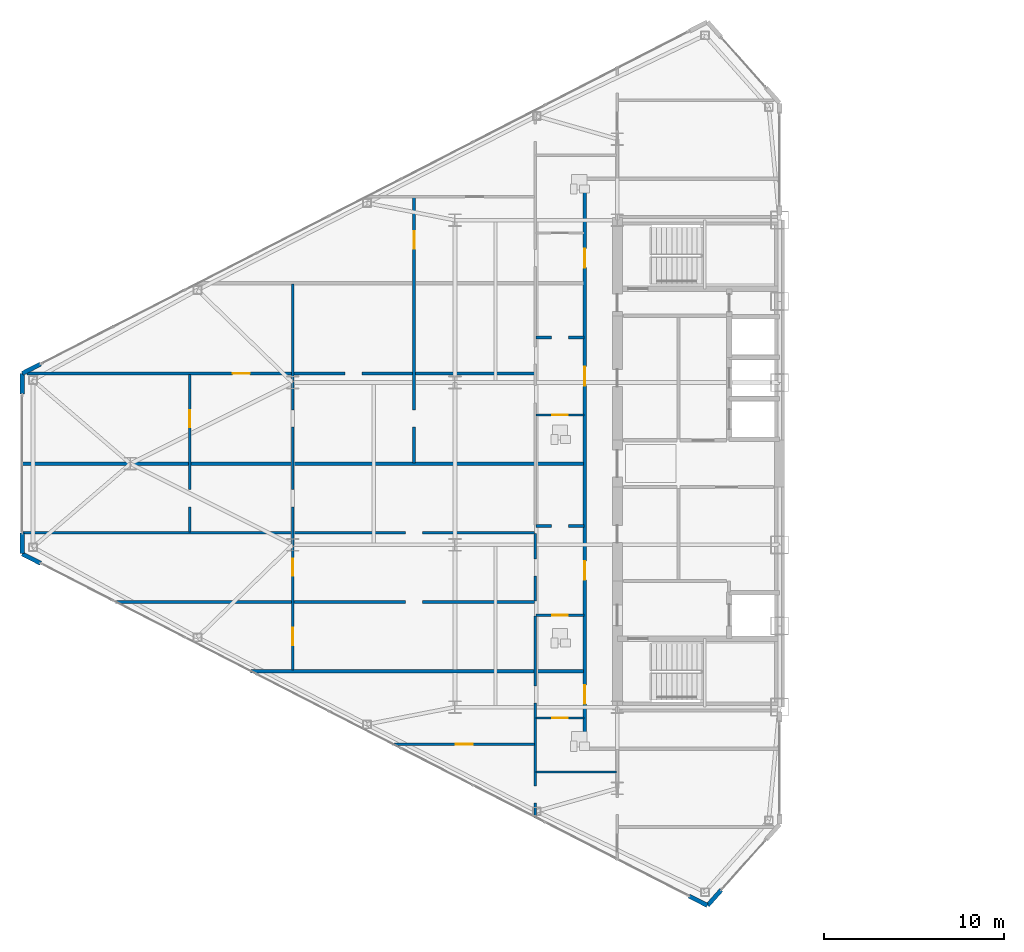
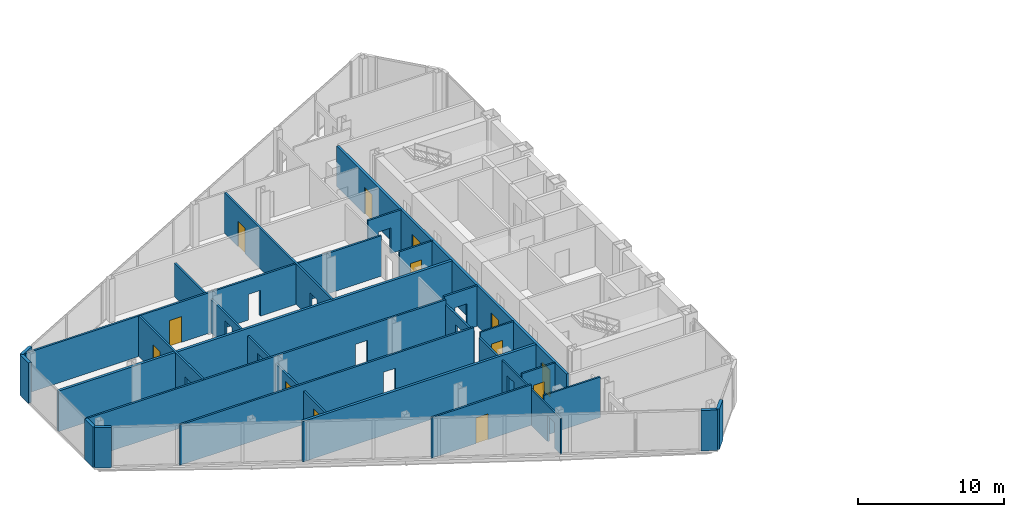
# One storey, part 15 of 23: 24 walls, 13 doors, 25 openings.
"""IFC4 building model written with IfcOpenShell, lengths in metres."""

from ifc_helpers import new_model, si_unit, direction, frame, frame_2d, origin, place, context, subcontext, project, spatial, rectangle, extrude, source, transform, mapped, material, layer, layer_set, type_object, type_shapes, element, fill, save


model = new_model("IFC4")

# Units and contexts
model_context = context("Model", 3, precision=1e-05, world=origin(), true_north=direction((0.0, 1.0)))
body_context = subcontext(model_context, "Body", "Model", "MODEL_VIEW")
ifc_project = project(units=[si_unit("LENGTHUNIT", "METRE"), si_unit("AREAUNIT", "SQUARE_METRE"), si_unit("VOLUMEUNIT", "CUBIC_METRE"), si_unit("PLANEANGLEUNIT", "RADIAN"), si_unit("MASSUNIT", "GRAM", prefix="KILO")], contexts=[model_context])

# Site, building, storey
site_placement = place(None, origin())
site = spatial("IfcSite", under=ifc_project, at=site_placement, CompositionType="ELEMENT")
building_placement = place(site_placement, origin())
building = spatial("IfcBuilding", under=site, at=building_placement, Name="Seokmaru Belvedere", CompositionType="ELEMENT")
storey_placement = place(building_placement, frame((0.0, 0.0, 144.0)))
storey = spatial("IfcBuildingStorey", under=building, at=storey_placement, Name="L38", CompositionType="ELEMENT", Elevation=144.0)

# Wall, opening, door
ifc_material_1 = material(Name="Fire-Rated Gypsum Shaftwall")
ifc_layer_1 = layer(ifc_material_1, 0.14990234375)
ifc_layer_set_1 = layer_set([ifc_layer_1], Name="Fire-Rated Gypsum Shaftwall")
wall_type_1 = type_object("IfcWallType", Name="Apartment Fire-Acoustic Room Partition 150", PredefinedType="PARTITIONING", material=ifc_layer_set_1)
wall_1_placement = place(storey_placement, frame((-48.97705078125, -15.550048828125, 0.0), z_axis=(0.0, 0.0, 1.0), x_axis=(1.0, 0.0, 0.0)))
wall_1 = element("IfcWall", 1, at=wall_1_placement, inside=storey, type_object=wall_type_1, Name="L38 Interior Partition 005", PredefinedType="PARTITIONING", context=body_context, shape_type="SweptSolid", body=[
    extrude(rectangle(XDim=7.876953125, YDim=0.14990234375, at=frame_2d((3.9384765625, 0.0))), origin(), (0.0, 0.0, 1.0), 3.3798828125),
])
opening_1_placement = place(wall_1_placement, frame((3.506103515625, 0.0, 0.0)))
opening_1 = element("IfcOpeningElement", 2, at=opening_1_placement, cuts=wall_1, Name="Opening D05", PredefinedType="OPENING", context=body_context, shape_type="SweptSolid", body=[
    extrude(rectangle(XDim=0.949951171875, YDim=2.14990234375, at=frame_2d((0.47509765625, 1.074951171875))), frame((0.0, 0.0849609375, 0.0), z_axis=(0.0, -1.0, 0.0), x_axis=(1.0, 0.0, 0.0)), (0.0, 0.0, 1.0), 0.169921875),
])
ifc_material_2 = material(Name="Engineered White Oak Timber", Category="wood")
door_type_1 = type_object("IfcDoorType", Name="Apartment Interior Fire-Rated Oak Door 950x2150", OperationType="NOTDEFINED", PredefinedType="DOOR", material=ifc_material_2)
shared_shape_1 = source(origin(), body_context, "Body", "SweptSolid", [
    extrude(rectangle(XDim=0.949951171875, YDim=2.14990234375, at=frame_2d((0.47509765625, 1.074951171875))), frame((0.0, 0.02490234375, 0.0), z_axis=(0.0, -1.0, 0.0), x_axis=(1.0, 0.0, 0.0)), (0.0, 0.0, 1.0), 0.050048828125),
])
type_shapes(door_type_1, [shared_shape_1])
door_1_placement = place(opening_1_placement, origin())
door_1 = element("IfcDoor", 3, at=door_1_placement, inside=storey, type_object=door_type_1, Name="L38 Interior Door 004", OperationType="SINGLE_SWING_RIGHT", OverallHeight=2.14990234375, OverallWidth=0.949951171875, PredefinedType="DOOR", context=body_context, shape_type="MappedRepresentation", body=[
    mapped(shared_shape_1, transform((0.0, 0.0, 0.0), scale=1.0)),
])
fill(opening_1, door_1)

# Wall, opening
wall_2_placement = place(storey_placement, frame((-64.337890625, -7.669921875, 0.0), z_axis=(0.0, 0.0, 1.0), x_axis=(1.0, 0.0, 0.0)))
wall_2 = element("IfcWall", 4, at=wall_2_placement, inside=storey, type_object=wall_type_1, Name="L38 Interior Partition 012", PredefinedType="PARTITIONING", context=body_context, shape_type="SweptSolid", body=[
    extrude(rectangle(XDim=23.23779296875, YDim=0.14990234375, at=frame_2d((11.618896484375, 0.0))), origin(), (0.0, 0.0, 1.0), 3.3798828125),
])
opening_2_placement = place(wall_2_placement, frame((16.087890625, 0.0, 0.0)))
element("IfcOpeningElement", 5, at=opening_2_placement, cuts=wall_2, Name="L38 Cased Opening 013", PredefinedType="OPENING", context=body_context, shape_type="SweptSolid", body=[
    extrude(rectangle(XDim=0.949951171875, YDim=2.14990234375, at=frame_2d((0.47509765625, 1.074951171875))), frame((0.0, 0.0849609375, 0.0), z_axis=(0.0, -1.0, 0.0), x_axis=(1.0, 0.0, 0.0)), (0.0, 0.0, 1.0), 0.169921875),
])

wall_3_placement = place(storey_placement, frame((-69.534912109375, -3.830078125, 0.0), z_axis=(0.0, 0.0, 1.0), x_axis=(1.0, 0.0, 0.0)))
wall_3 = element("IfcWall", 6, at=wall_3_placement, inside=storey, type_object=wall_type_1, Name="L38 Interior Partition 015", PredefinedType="PARTITIONING", context=body_context, shape_type="SweptSolid", body=[
    extrude(rectangle(XDim=28.434814453125, YDim=0.14990234375, at=frame_2d((14.21728515625, 0.0))), origin(), (0.0, 0.0, 1.0), 3.3798828125),
])
opening_3_placement = place(wall_3_placement, frame((21.284912109375, 0.0, 0.0)))
element("IfcOpeningElement", 7, at=opening_3_placement, cuts=wall_3, Name="L38 Cased Opening 014", PredefinedType="OPENING", context=body_context, shape_type="SweptSolid", body=[
    extrude(rectangle(XDim=0.949951171875, YDim=2.14990234375, at=frame_2d((0.47509765625, 1.074951171875))), frame((0.0, 0.0849609375, 0.0), z_axis=(0.0, -1.0, 0.0), x_axis=(1.0, 0.0, 0.0)), (0.0, 0.0, 1.0), 0.169921875),
])

wall_4_placement = place(storey_placement, frame((-41.0, -3.449951171875, 0.0), z_axis=(0.0, 0.0, 1.0), x_axis=(1.0, 0.0, 0.0)))
wall_4 = element("IfcWall", 8, at=wall_4_placement, inside=storey, type_object=wall_type_1, Name="L38 Interior Partition 016", PredefinedType="PARTITIONING", context=body_context, shape_type="SweptSolid", body=[
    extrude(rectangle(XDim=2.64990234375, YDim=0.14990234375, at=frame_2d((1.324951171875, 0.0))), origin(), (0.0, 0.0, 1.0), 3.3798828125),
])
opening_4_placement = place(wall_4_placement, frame((0.85009765625, 0.0, 0.0)))
element("IfcOpeningElement", 9, at=opening_4_placement, cuts=wall_4, Name="L38 Cased Opening 010", PredefinedType="OPENING", context=body_context, shape_type="SweptSolid", body=[
    extrude(rectangle(XDim=0.949951171875, YDim=2.14990234375, at=frame_2d((0.47509765625, 1.074951171875))), frame((0.0, 0.0849609375, 0.0), z_axis=(0.0, -1.0, 0.0), x_axis=(1.0, 0.0, 0.0)), (0.0, 0.0, 1.0), 0.169921875),
])

# Wall, openings, door
wall_5_placement = place(storey_placement, frame((-69.226318359375, 5.0, 0.0), z_axis=(0.0, 0.0, 1.0), x_axis=(1.0, 0.0, 0.0)))
wall_5 = element("IfcWall", 10, at=wall_5_placement, inside=storey, type_object=wall_type_1, Name="L38 Interior Partition 022", PredefinedType="PARTITIONING", context=body_context, shape_type="SweptSolid", body=[
    extrude(rectangle(XDim=28.126220703125, YDim=0.14990234375, at=frame_2d((14.06298828125, 0.0))), origin(), (0.0, 0.0, 1.0), 3.3798828125),
])
opening_5_placement = place(wall_5_placement, frame((11.4013671875, 0.0, 0.0)))
opening_5 = element("IfcOpeningElement", 11, at=opening_5_placement, cuts=wall_5, Name="Opening D05", PredefinedType="OPENING", context=body_context, shape_type="SweptSolid", body=[
    extrude(rectangle(XDim=0.949951171875, YDim=2.14990234375, at=frame_2d((0.47509765625, 1.074951171875))), frame((0.0, 0.0849609375, 0.0), z_axis=(0.0, -1.0, 0.0), x_axis=(1.0, 0.0, 0.0)), (0.0, 0.0, 1.0), 0.169921875),
])
opening_6_placement = place(wall_5_placement, frame((17.61376953125, 0.0, 0.0)))
element("IfcOpeningElement", 12, at=opening_6_placement, cuts=wall_5, Name="L38 Cased Opening 027", PredefinedType="OPENING", context=body_context, shape_type="SweptSolid", body=[
    extrude(rectangle(XDim=0.949951171875, YDim=2.14990234375, at=frame_2d((0.47509765625, 1.074951171875))), frame((0.0, 0.0849609375, 0.0), z_axis=(0.0, -1.0, 0.0), x_axis=(1.0, 0.0, 0.0)), (0.0, 0.0, 1.0), 0.169921875),
])
door_2_placement = place(opening_5_placement, origin())
door_2 = element("IfcDoor", 13, at=door_2_placement, inside=storey, type_object=door_type_1, Name="L38 Interior Door 026", OperationType="SINGLE_SWING_RIGHT", OverallHeight=2.14990234375, OverallWidth=0.949951171875, PredefinedType="DOOR", context=body_context, shape_type="MappedRepresentation", body=[
    mapped(shared_shape_1, transform((0.0, 0.0, 0.0), scale=1.0)),
])
fill(opening_5, door_2)

# Wall, opening
wall_6_placement = place(storey_placement, frame((-41.0, 7.0, 0.0), z_axis=(0.0, 0.0, 1.0), x_axis=(1.0, 0.0, 0.0)))
wall_6 = element("IfcWall", 14, at=wall_6_placement, inside=storey, type_object=wall_type_1, Name="L38 Interior Partition 025", PredefinedType="PARTITIONING", context=body_context, shape_type="SweptSolid", body=[
    extrude(rectangle(XDim=2.64990234375, YDim=0.14990234375, at=frame_2d((1.324951171875, 0.0))), origin(), (0.0, 0.0, 1.0), 3.3798828125),
])
opening_7_placement = place(wall_6_placement, frame((0.85009765625, 0.0, 0.0)))
element("IfcOpeningElement", 15, at=opening_7_placement, cuts=wall_6, Name="L38 Cased Opening 020", PredefinedType="OPENING", context=body_context, shape_type="SweptSolid", body=[
    extrude(rectangle(XDim=0.949951171875, YDim=2.14990234375, at=frame_2d((0.47509765625, 1.074951171875))), frame((0.0, 0.0849609375, 0.0), z_axis=(0.0, -1.0, 0.0), x_axis=(1.0, 0.0, 0.0)), (0.0, 0.0, 1.0), 0.169921875),
])

# Wall, openings, door
wall_7_placement = place(storey_placement, frame((-60.199951171875, -3.782958984375, 0.0), z_axis=(0.0, 0.0, 1.0), x_axis=(0.0, 1.0, 0.0)))
wall_7 = element("IfcWall", 16, at=wall_7_placement, inside=storey, type_object=wall_type_1, Name="L38 Interior Partition 034", PredefinedType="PARTITIONING", context=body_context, shape_type="SweptSolid", body=[
    extrude(rectangle(XDim=8.73291015625, YDim=0.14990234375, at=frame_2d((4.366455078125, 0.0))), origin(), (0.0, 0.0, 1.0), 3.3798828125),
])
opening_8_placement = place(wall_7_placement, frame((1.391357421875, 0.0, 0.0)))
element("IfcOpeningElement", 17, at=opening_8_placement, cuts=wall_7, Name="L38 Cased Opening 017", PredefinedType="OPENING", context=body_context, shape_type="SweptSolid", body=[
    extrude(rectangle(XDim=0.949951171875, YDim=2.14990234375, at=frame_2d((0.47509765625, 1.074951171875))), frame((0.0, 0.0849609375, 0.0), z_axis=(0.0, -1.0, 0.0), x_axis=(1.0, 0.0, 0.0)), (0.0, 0.0, 1.0), 0.169921875),
])
opening_9_placement = place(wall_7_placement, frame((5.80810546875, 0.0, 0.0)))
opening_9 = element("IfcOpeningElement", 18, at=opening_9_placement, cuts=wall_7, Name="Opening D05", PredefinedType="OPENING", context=body_context, shape_type="SweptSolid", body=[
    extrude(rectangle(XDim=0.949951171875, YDim=2.14990234375, at=frame_2d((0.47509765625, 1.074951171875))), frame((0.0, 0.0849609375, 0.0), z_axis=(0.0, -1.0, 0.0), x_axis=(1.0, 0.0, 0.0)), (0.0, 0.0, 1.0), 0.169921875),
])
door_3_placement = place(opening_9_placement, origin())
door_3 = element("IfcDoor", 19, at=door_3_placement, inside=storey, type_object=door_type_1, Name="L38 Interior Door 025", OperationType="SINGLE_SWING_RIGHT", OverallHeight=2.14990234375, OverallWidth=0.949951171875, PredefinedType="DOOR", context=body_context, shape_type="MappedRepresentation", body=[
    mapped(shared_shape_1, transform((0.0, 0.0, 0.0), scale=1.0)),
])
fill(opening_9, door_3)

# Wall, openings, doors
wall_8_placement = place(storey_placement, frame((-54.5, -11.449951171875, 0.0), z_axis=(0.0, 0.0, 1.0), x_axis=(0.0, 1.0, 0.0)))
wall_8 = element("IfcWall", 20, at=wall_8_placement, inside=storey, type_object=wall_type_1, Name="L38 Interior Partition 035", PredefinedType="PARTITIONING", context=body_context, shape_type="SweptSolid", body=[
    extrude(rectangle(XDim=21.39990234375, YDim=0.14990234375, at=frame_2d((10.699951171875, 0.0))), origin(), (0.0, 0.0, 1.0), 2.780029296875),
])
opening_10_placement = place(wall_8_placement, frame((5.22509765625, 0.0, 0.0)))
opening_10 = element("IfcOpeningElement", 21, at=opening_10_placement, cuts=wall_8, Name="Opening D05", PredefinedType="OPENING", context=body_context, shape_type="SweptSolid", body=[
    extrude(rectangle(XDim=0.949951171875, YDim=2.14990234375, at=frame_2d((0.47509765625, 1.074951171875))), frame((0.0, 0.0849609375, 0.0), z_axis=(0.0, -1.0, 0.0), x_axis=(1.0, 0.0, 0.0)), (0.0, 0.0, 1.0), 0.169921875),
])
opening_11_placement = place(wall_8_placement, frame((1.3916015625, 0.0, 0.0)))
opening_11 = element("IfcOpeningElement", 22, at=opening_11_placement, cuts=wall_8, Name="Opening D05", PredefinedType="OPENING", context=body_context, shape_type="SweptSolid", body=[
    extrude(rectangle(XDim=0.949951171875, YDim=2.14990234375, at=frame_2d((0.47509765625, 1.074951171875))), frame((0.0, 0.0849609375, 0.0), z_axis=(0.0, -1.0, 0.0), x_axis=(1.0, 0.0, 0.0)), (0.0, 0.0, 1.0), 0.169921875),
])
opening_12_placement = place(wall_8_placement, frame((9.058349609375, 0.0, 0.0)))
element("IfcOpeningElement", 23, at=opening_12_placement, cuts=wall_8, Name="L38 Cased Opening 016", PredefinedType="OPENING", context=body_context, shape_type="SweptSolid", body=[
    extrude(rectangle(XDim=0.949951171875, YDim=2.14990234375, at=frame_2d((0.47509765625, 1.074951171875))), frame((0.0, 0.0849609375, 0.0), z_axis=(0.0, -1.0, 0.0), x_axis=(1.0, 0.0, 0.0)), (0.0, 0.0, 1.0), 0.169921875),
])
opening_13_placement = place(wall_8_placement, frame((13.47509765625, 0.0, 0.0)))
element("IfcOpeningElement", 24, at=opening_13_placement, cuts=wall_8, Name="L38 Cased Opening 024", PredefinedType="OPENING", context=body_context, shape_type="SweptSolid", body=[
    extrude(rectangle(XDim=0.949951171875, YDim=2.14990234375, at=frame_2d((0.47509765625, 1.074951171875))), frame((0.0, 0.0849609375, 0.0), z_axis=(0.0, -1.0, 0.0), x_axis=(1.0, 0.0, 0.0)), (0.0, 0.0, 1.0), 0.169921875),
])
door_4_placement = place(opening_10_placement, origin())
door_4 = element("IfcDoor", 25, at=door_4_placement, inside=storey, type_object=door_type_1, Name="L38 Interior Door 012", OperationType="SINGLE_SWING_LEFT", OverallHeight=2.14990234375, OverallWidth=0.949951171875, PredefinedType="DOOR", context=body_context, shape_type="MappedRepresentation", body=[
    mapped(shared_shape_1, transform((0.0, 0.0, 0.0), scale=1.0)),
])
fill(opening_10, door_4)
door_5_placement = place(opening_11_placement, origin())
door_5 = element("IfcDoor", 26, at=door_5_placement, inside=storey, type_object=door_type_1, Name="L38 Interior Door 015", OperationType="SINGLE_SWING_LEFT", OverallHeight=2.14990234375, OverallWidth=0.949951171875, PredefinedType="DOOR", context=body_context, shape_type="MappedRepresentation", body=[
    mapped(shared_shape_1, transform((0.0, 0.0, 0.0), scale=1.0)),
])
fill(opening_11, door_5)

# Wall, openings, door
wall_9_placement = place(storey_placement, frame((-47.77001953125, 0.050048828125, 0.0), z_axis=(0.0, 0.0, 1.0), x_axis=(0.0, 1.0, 0.0)))
wall_9 = element("IfcWall", 27, at=wall_9_placement, inside=storey, type_object=wall_type_1, Name="L38 Interior Partition 036", PredefinedType="PARTITIONING", context=body_context, shape_type="SweptSolid", body=[
    extrude(rectangle(XDim=14.699951171875, YDim=0.14990234375, at=frame_2d((7.35009765625, 0.0))), origin(), (0.0, 0.0, 1.0), 3.3798828125),
])
opening_14_placement = place(wall_9_placement, frame((1.97509765625, 0.0, 0.0)))
element("IfcOpeningElement", 28, at=opening_14_placement, cuts=wall_9, Name="L38 Cased Opening 023", PredefinedType="OPENING", context=body_context, shape_type="SweptSolid", body=[
    extrude(rectangle(XDim=0.949951171875, YDim=2.14990234375, at=frame_2d((0.47509765625, 1.074951171875))), frame((0.0, 0.0849609375, 0.0), z_axis=(0.0, -1.0, 0.0), x_axis=(1.0, 0.0, 0.0)), (0.0, 0.0, 1.0), 0.169921875),
])
opening_15_placement = place(wall_9_placement, frame((11.874755859375, 0.0, 0.0)))
opening_15 = element("IfcOpeningElement", 29, at=opening_15_placement, cuts=wall_9, Name="Opening D05", PredefinedType="OPENING", context=body_context, shape_type="SweptSolid", body=[
    extrude(rectangle(XDim=0.949951171875, YDim=2.14990234375, at=frame_2d((0.47509765625, 1.074951171875))), frame((0.0, 0.0849609375, 0.0), z_axis=(0.0, -1.0, 0.0), x_axis=(1.0, 0.0, 0.0)), (0.0, 0.0, 1.0), 0.169921875),
])
door_6_placement = place(opening_15_placement, origin())
door_6 = element("IfcDoor", 30, at=door_6_placement, inside=storey, type_object=door_type_1, Name="L38 Interior Door 031", OperationType="SINGLE_SWING_RIGHT", OverallHeight=2.14990234375, OverallWidth=0.949951171875, PredefinedType="DOOR", context=body_context, shape_type="MappedRepresentation", body=[
    mapped(shared_shape_1, transform((0.0, 0.0, 0.0), scale=1.0)),
])
fill(opening_15, door_6)

# Wall, opening
wall_10_placement = place(storey_placement, frame((-41.050048828125, -7.616943359375, 0.0), z_axis=(0.0, 0.0, 1.0), x_axis=(0.0, 1.0, 0.0)))
wall_10 = element("IfcWall", 31, at=wall_10_placement, inside=storey, type_object=wall_type_1, Name="L38 Interior Partition 038", PredefinedType="PARTITIONING", context=body_context, shape_type="SweptSolid", body=[
    extrude(rectangle(XDim=3.73388671875, YDim=0.14990234375, at=frame_2d((1.866943359375, 0.0))), origin(), (0.0, 0.0, 1.0), 2.989990234375),
])
opening_16_placement = place(wall_10_placement, frame((1.39208984375, 0.0, 0.0)))
element("IfcOpeningElement", 32, at=opening_16_placement, cuts=wall_10, Name="L38 Cased Opening 011", PredefinedType="OPENING", context=body_context, shape_type="SweptSolid", body=[
    extrude(rectangle(XDim=0.949951171875, YDim=2.14990234375, at=frame_2d((0.47509765625, 1.074951171875))), frame((0.0, 0.0849609375, 0.0), z_axis=(0.0, -1.0, 0.0), x_axis=(1.0, 0.0, 0.0)), (0.0, 0.0, 1.0), 0.169921875),
])

# Walls
ifc_layer_2 = layer(ifc_material_1, 0.199951171875)
ifc_layer_set_2 = layer_set([ifc_layer_2], Name="Fire-Rated Gypsum Shaftwall")
wall_type_2 = type_object("IfcWallType", Name="Inter-Tenancy Fire Compartment Partition 200", PredefinedType="PARTITIONING", material=ifc_layer_set_2)
wall_11_placement = place(storey_placement, frame((-56.843994140625, -11.5, 0.0), z_axis=(0.0, 0.0, 1.0), x_axis=(1.0, 0.0, 0.0)))
element("IfcWall", 33, at=wall_11_placement, inside=storey, type_object=wall_type_2, Name="L38 Interior Partition 007", PredefinedType="PARTITIONING", context=body_context, shape_type="SweptSolid", body=[
    extrude(rectangle(XDim=18.464111328125, YDim=0.199951171875, at=frame_2d((9.23193359375, 0.0))), origin(), (0.0, 0.0, 1.0), 3.3798828125),
])
wall_12_placement = place(storey_placement, frame((-69.5048828125, 0.0, 0.0), z_axis=(0.0, 0.0, 1.0), x_axis=(1.0, 0.0, 0.0)))
element("IfcWall", 34, at=wall_12_placement, inside=storey, type_object=wall_type_2, Name="L38 Interior Partition 018", PredefinedType="PARTITIONING", context=body_context, shape_type="SweptSolid", body=[
    extrude(rectangle(XDim=31.125, YDim=0.199951171875, at=frame_2d((15.5625, 0.0))), origin(), (0.0, 0.0, 1.0), 3.3798828125),
])

# Wall, openings, doors
wall_13_placement = place(storey_placement, frame((-38.300048828125, -15.715087890625, 0.0), z_axis=(0.0, 0.0, 1.0), x_axis=(0.0, 1.0, 0.0)))
wall_13 = element("IfcWall", 35, at=wall_13_placement, inside=storey, type_object=wall_type_2, Name="L38 Interior Partition 040", PredefinedType="PARTITIONING", context=body_context, shape_type="SweptSolid", body=[
    extrude(rectangle(XDim=31.43017578125, YDim=0.199951171875, at=frame_2d((15.715087890625, 0.0))), origin(), (0.0, 0.0, 1.0), 3.3798828125),
])
opening_17_placement = place(wall_13_placement, frame((2.389892578125, 0.0, 0.0)))
opening_17 = element("IfcOpeningElement", 36, at=opening_17_placement, cuts=wall_13, Name="Opening D03", PredefinedType="OPENING", context=body_context, shape_type="SweptSolid", body=[
    extrude(rectangle(XDim=1.050048828125, YDim=2.25, at=frame_2d((0.52490234375, 1.125))), frame((0.0, 0.10986328125, 0.0), z_axis=(0.0, -1.0, 0.0), x_axis=(1.0, 0.0, 0.0)), (0.0, 0.0, 1.0), 0.219970703125),
])
opening_18_placement = place(wall_13_placement, frame((9.267578125, 0.0, 0.0)))
opening_18 = element("IfcOpeningElement", 37, at=opening_18_placement, cuts=wall_13, Name="Opening D03", PredefinedType="OPENING", context=body_context, shape_type="SweptSolid", body=[
    extrude(rectangle(XDim=1.050048828125, YDim=2.25, at=frame_2d((0.52490234375, 1.125))), frame((0.0, 0.10986328125, 0.0), z_axis=(0.0, -1.0, 0.0), x_axis=(1.0, 0.0, 0.0)), (0.0, 0.0, 1.0), 0.219970703125),
])
opening_19_placement = place(wall_13_placement, frame((20.0400390625, 0.0, 0.0)))
opening_19 = element("IfcOpeningElement", 38, at=opening_19_placement, cuts=wall_13, Name="Opening D03", PredefinedType="OPENING", context=body_context, shape_type="SweptSolid", body=[
    extrude(rectangle(XDim=1.050048828125, YDim=2.25, at=frame_2d((0.52490234375, 1.125))), frame((0.0, 0.10986328125, 0.0), z_axis=(0.0, -1.0, 0.0), x_axis=(1.0, 0.0, 0.0)), (0.0, 0.0, 1.0), 0.219970703125),
])
opening_20_placement = place(wall_13_placement, frame((26.58740234375, 0.0, 0.0)))
opening_20 = element("IfcOpeningElement", 39, at=opening_20_placement, cuts=wall_13, Name="Opening D03", PredefinedType="OPENING", context=body_context, shape_type="SweptSolid", body=[
    extrude(rectangle(XDim=1.050048828125, YDim=2.25, at=frame_2d((0.52490234375, 1.125))), frame((0.0, 0.10986328125, 0.0), z_axis=(0.0, -1.0, 0.0), x_axis=(1.0, 0.0, 0.0)), (0.0, 0.0, 1.0), 0.219970703125),
])
ifc_material_3 = material(Name="Fire-Rated Steel Leaf", Category="steel")
door_type_2 = type_object("IfcDoorType", Name="Apartment Entrance Fire Door 1050x2250", OperationType="NOTDEFINED", PredefinedType="DOOR", material=ifc_material_3)
shared_shape_2 = source(origin(), body_context, "Body", "SweptSolid", [
    extrude(rectangle(XDim=1.050048828125, YDim=2.25, at=frame_2d((0.52490234375, 1.125))), frame((0.0, 0.02490234375, 0.0), z_axis=(0.0, -1.0, 0.0), x_axis=(1.0, 0.0, 0.0)), (0.0, 0.0, 1.0), 0.050048828125),
])
type_shapes(door_type_2, [shared_shape_2])
door_7_placement = place(opening_17_placement, origin())
door_7 = element("IfcDoor", 40, at=door_7_placement, inside=storey, type_object=door_type_2, Name="L38 Interior Door 001", OperationType="SINGLE_SWING_RIGHT", OverallHeight=2.25, OverallWidth=1.050048828125, PredefinedType="DOOR", context=body_context, shape_type="MappedRepresentation", body=[
    mapped(shared_shape_2, transform((0.0, 0.0, 0.0), scale=1.0)),
])
fill(opening_17, door_7)
door_8_placement = place(opening_18_placement, origin())
door_8 = element("IfcDoor", 41, at=door_8_placement, inside=storey, type_object=door_type_2, Name="L38 Interior Door 008", OperationType="SINGLE_SWING_LEFT", OverallHeight=2.25, OverallWidth=1.050048828125, PredefinedType="DOOR", context=body_context, shape_type="MappedRepresentation", body=[
    mapped(shared_shape_2, transform((0.0, 0.0, 0.0), scale=1.0)),
])
fill(opening_18, door_8)
door_9_placement = place(opening_19_placement, origin())
door_9 = element("IfcDoor", 42, at=door_9_placement, inside=storey, type_object=door_type_2, Name="L38 Interior Door 018", OperationType="SINGLE_SWING_RIGHT", OverallHeight=2.25, OverallWidth=1.050048828125, PredefinedType="DOOR", context=body_context, shape_type="MappedRepresentation", body=[
    mapped(shared_shape_2, transform((0.0, 0.0, 0.0), scale=1.0)),
])
fill(opening_19, door_9)
door_10_placement = place(opening_20_placement, origin())
door_10 = element("IfcDoor", 43, at=door_10_placement, inside=storey, type_object=door_type_2, Name="L38 Interior Door 028", OperationType="SINGLE_SWING_LEFT", OverallHeight=2.25, OverallWidth=1.050048828125, PredefinedType="DOOR", context=body_context, shape_type="MappedRepresentation", body=[
    mapped(shared_shape_2, transform((0.0, 0.0, 0.0), scale=1.0)),
])
fill(opening_20, door_10)

# Wall
ifc_layer_3 = layer(ifc_material_1, 0.1298828125)
ifc_layer_set_3 = layer_set([ifc_layer_3], Name="Fire-Rated Gypsum Shaftwall")
wall_type_3 = type_object("IfcWallType", Name="Moisture-Resistant Fire-Rated Bathroom Partition 130", PredefinedType="PARTITIONING", material=ifc_layer_set_3)
wall_14_placement = place(storey_placement, frame((-41.0, -17.10009765625, 0.0), z_axis=(0.0, 0.0, 1.0), x_axis=(1.0, 0.0, 0.0)))
element("IfcWall", 44, at=wall_14_placement, inside=storey, type_object=wall_type_3, Name="L38 Interior Partition 002", PredefinedType="PARTITIONING", context=body_context, shape_type="SweptSolid", body=[
    extrude(rectangle(XDim=4.449951171875, YDim=0.1298828125, at=frame_2d((2.22509765625, 0.0))), origin(), (0.0, 0.0, 1.0), 3.3798828125),
])

# Wall, opening, door
wall_15_placement = place(storey_placement, frame((-41.0, -14.10009765625, 0.0), z_axis=(0.0, 0.0, 1.0), x_axis=(1.0, 0.0, 0.0)))
wall_15 = element("IfcWall", 45, at=wall_15_placement, inside=storey, type_object=wall_type_3, Name="L38 Interior Partition 006", PredefinedType="PARTITIONING", context=body_context, shape_type="SweptSolid", body=[
    extrude(rectangle(XDim=2.64990234375, YDim=0.1298828125, at=frame_2d((1.324951171875, 0.0))), origin(), (0.0, 0.0, 1.0), 3.3798828125),
])
opening_21_placement = place(wall_15_placement, frame((0.885009765625, 0.0, 0.0)))
opening_21 = element("IfcOpeningElement", 46, at=opening_21_placement, cuts=wall_15, Name="Opening D06", PredefinedType="OPENING", context=body_context, shape_type="SweptSolid", body=[
    extrude(rectangle(XDim=0.8798828125, YDim=2.10009765625, at=frame_2d((0.43994140625, 1.050048828125))), frame((0.0, 0.074951171875, 0.0), z_axis=(0.0, -1.0, 0.0), x_axis=(1.0, 0.0, 0.0)), (0.0, 0.0, 1.0), 0.14990234375),
])
door_type_3 = type_object("IfcDoorType", Name="Bathroom and Restroom Fire-Rated Door 880x2100", OperationType="NOTDEFINED", PredefinedType="DOOR", material=ifc_material_2)
shared_shape_3 = source(origin(), body_context, "Body", "SweptSolid", [
    extrude(rectangle(XDim=0.8798828125, YDim=2.10009765625, at=frame_2d((0.43994140625, 1.050048828125))), frame((0.0, 0.02490234375, 0.0), z_axis=(0.0, -1.0, 0.0), x_axis=(1.0, 0.0, 0.0)), (0.0, 0.0, 1.0), 0.050048828125),
])
type_shapes(door_type_3, [shared_shape_3])
door_11_placement = place(opening_21_placement, origin())
door_11 = element("IfcDoor", 47, at=door_11_placement, inside=storey, type_object=door_type_3, Name="L38 Interior Door 002", OperationType="SINGLE_SWING_LEFT", OverallHeight=2.10009765625, OverallWidth=0.8798828125, PredefinedType="DOOR", context=body_context, shape_type="MappedRepresentation", body=[
    mapped(shared_shape_3, transform((0.0, 0.0, 0.0), scale=1.0)),
])
fill(opening_21, door_11)

wall_16_placement = place(storey_placement, frame((-41.0, -8.39990234375, 0.0), z_axis=(0.0, 0.0, 1.0), x_axis=(1.0, 0.0, 0.0)))
wall_16 = element("IfcWall", 48, at=wall_16_placement, inside=storey, type_object=wall_type_3, Name="L38 Interior Partition 010", PredefinedType="PARTITIONING", context=body_context, shape_type="SweptSolid", body=[
    extrude(rectangle(XDim=2.64990234375, YDim=0.1298828125, at=frame_2d((1.324951171875, 0.0))), origin(), (0.0, 0.0, 1.0), 3.3798828125),
])
opening_22_placement = place(wall_16_placement, frame((0.885009765625, 0.0, 0.0)))
opening_22 = element("IfcOpeningElement", 49, at=opening_22_placement, cuts=wall_16, Name="Opening D06", PredefinedType="OPENING", context=body_context, shape_type="SweptSolid", body=[
    extrude(rectangle(XDim=0.8798828125, YDim=2.10009765625, at=frame_2d((0.43994140625, 1.050048828125))), frame((0.0, 0.074951171875, 0.0), z_axis=(0.0, -1.0, 0.0), x_axis=(1.0, 0.0, 0.0)), (0.0, 0.0, 1.0), 0.14990234375),
])
door_12_placement = place(opening_22_placement, origin())
door_12 = element("IfcDoor", 50, at=door_12_placement, inside=storey, type_object=door_type_3, Name="L38 Interior Door 009", OperationType="SINGLE_SWING_LEFT", OverallHeight=2.10009765625, OverallWidth=0.8798828125, PredefinedType="DOOR", context=body_context, shape_type="MappedRepresentation", body=[
    mapped(shared_shape_3, transform((0.0, 0.0, 0.0), scale=1.0)),
])
fill(opening_22, door_12)

wall_17_placement = place(storey_placement, frame((-41.0, 2.699951171875, 0.0), z_axis=(0.0, 0.0, 1.0), x_axis=(1.0, 0.0, 0.0)))
wall_17 = element("IfcWall", 51, at=wall_17_placement, inside=storey, type_object=wall_type_3, Name="L38 Interior Partition 021", PredefinedType="PARTITIONING", context=body_context, shape_type="SweptSolid", body=[
    extrude(rectangle(XDim=2.64990234375, YDim=0.1298828125, at=frame_2d((1.324951171875, 0.0))), origin(), (0.0, 0.0, 1.0), 3.3798828125),
])
opening_23_placement = place(wall_17_placement, frame((0.885009765625, 0.0, 0.0)))
opening_23 = element("IfcOpeningElement", 52, at=opening_23_placement, cuts=wall_17, Name="Opening D06", PredefinedType="OPENING", context=body_context, shape_type="SweptSolid", body=[
    extrude(rectangle(XDim=0.8798828125, YDim=2.10009765625, at=frame_2d((0.43994140625, 1.050048828125))), frame((0.0, 0.074951171875, 0.0), z_axis=(0.0, -1.0, 0.0), x_axis=(1.0, 0.0, 0.0)), (0.0, 0.0, 1.0), 0.14990234375),
])
door_13_placement = place(opening_23_placement, origin())
door_13 = element("IfcDoor", 53, at=door_13_placement, inside=storey, type_object=door_type_3, Name="L38 Interior Door 019", OperationType="SINGLE_SWING_LEFT", OverallHeight=2.10009765625, OverallWidth=0.8798828125, PredefinedType="DOOR", context=body_context, shape_type="MappedRepresentation", body=[
    mapped(shared_shape_3, transform((0.0, 0.0, 0.0), scale=1.0)),
])
fill(opening_23, door_13)

# Wall, openings
wall_18_placement = place(storey_placement, frame((-41.050048828125, -19.634033203125, 0.0), z_axis=(0.0, 0.0, 1.0), x_axis=(0.0, 1.0, 0.0)))
wall_18 = element("IfcWall", 54, at=wall_18_placement, inside=storey, type_object=wall_type_3, Name="L38 Interior Partition 037", PredefinedType="PARTITIONING", context=body_context, shape_type="SweptSolid", body=[
    extrude(rectangle(XDim=11.18701171875, YDim=0.1298828125, at=frame_2d((5.593505859375, 0.0))), origin(), (0.0, 0.0, 1.0), 2.989990234375),
])
opening_24_placement = place(wall_18_placement, frame((6.35888671875, 0.0, 0.0)))
element("IfcOpeningElement", 55, at=opening_24_placement, cuts=wall_18, Name="L38 Cased Opening 003", PredefinedType="OPENING", context=body_context, shape_type="SweptSolid", body=[
    extrude(rectangle(XDim=0.949951171875, YDim=2.14990234375, at=frame_2d((0.47509765625, 1.074951171875))), frame((0.0, 0.074951171875, 0.0), z_axis=(0.0, -1.0, 0.0), x_axis=(1.0, 0.0, 0.0)), (0.0, 0.0, 1.0), 0.14990234375),
])
opening_25_placement = place(wall_18_placement, frame((0.809326171875, 0.0, 0.0)))
element("IfcOpeningElement", 56, at=opening_25_placement, cuts=wall_18, Name="L38 Cased Opening 005", PredefinedType="OPENING", context=body_context, shape_type="SweptSolid", body=[
    extrude(rectangle(XDim=0.949951171875, YDim=2.14990234375, at=frame_2d((0.47509765625, 1.074951171875))), frame((0.0, 0.074951171875, 0.0), z_axis=(0.0, -1.0, 0.0), x_axis=(1.0, 0.0, 0.0)), (0.0, 0.0, 1.0), 0.14990234375),
])

# Walls
ifc_material_4 = material(Name="Anodised Bronze Aluminium", Category="aluminium")
ifc_layer_4 = layer(ifc_material_4, 0.239990234375)
ifc_layer_set_4 = layer_set([ifc_layer_4], Name="Anodised Bronze Aluminium")
wall_type_4 = type_object("IfcWallType", Name="Tower Corner Spandrel Closure Wall 240", PredefinedType="SOLIDWALL", material=ifc_layer_set_4)
wall_19_placement = place(storey_placement, frame((-68.476806640625, 5.52490234375, 0.0), z_axis=(0.0, 0.0, 1.0), x_axis=(-0.889797395748, -0.456355776255, 0.0)))
element("IfcWall", 57, at=wall_19_placement, inside=storey, type_object=wall_type_4, Name="L38 W Corner Closure Pier 3B", PredefinedType="SOLIDWALL", context=body_context, shape_type="SweptSolid", body=[
    extrude(rectangle(XDim=1.14013671875, YDim=0.239990234375, at=frame_2d((0.570068359375, 0.0))), origin(), (0.0, 0.0, 1.0), 3.3798828125),
])
for number, where, z_axis, x_axis, name in (
    (58, (-69.5, 4.989990234375, 0.0), (0.0, 0.0, 1.0), (0.0, -1.0, 0.0), "L38 W Corner Closure Pier 4A"),
    (59, (-69.5, -3.85009765625, 0.0), (0.0, 0.0, 1.0), (0.0, -1.0, 0.0), "L38 W Corner Closure Pier 4B"),
):
    element("IfcWall", number, at=place(storey_placement, frame(where, z_axis=z_axis, x_axis=x_axis)), inside=storey, type_object=wall_type_4, Name=name, PredefinedType="SOLIDWALL", context=body_context, shape_type="SweptSolid", body=[
        extrude(rectangle(XDim=1.139892578125, YDim=0.239990234375, at=frame_2d((0.56982421875, 0.0))), origin(), (0.0, 0.0, 1.0), 3.3798828125),
    ])
for number, where, z_axis, x_axis, name in (
    (60, (-69.4912109375, -5.004638671875, 0.0), (0.0, 0.0, 1.0), (0.889797395748, -0.456355776255, 0.0), "L38 W Corner Closure Pier 5A"),
    (61, (-32.523193359375, -23.97509765625, 0.0), (0.0, 0.0, 1.0), (0.889797395748, -0.456355776255, 0.0), "L38 W Corner Closure Pier 5B"),
):
    element("IfcWall", number, at=place(storey_placement, frame(where, z_axis=z_axis, x_axis=x_axis)), inside=storey, type_object=wall_type_4, Name=name, PredefinedType="SOLIDWALL", context=body_context, shape_type="SweptSolid", body=[
        extrude(rectangle(XDim=1.14013671875, YDim=0.239990234375, at=frame_2d((0.570068359375, 0.0))), origin(), (0.0, 0.0, 1.0), 3.3798828125),
    ])
wall_20_placement = place(storey_placement, frame((-31.493408203125, -24.492431640625, 0.0), z_axis=(0.0, 0.0, 1.0), x_axis=(0.664337252513, 0.747432950119, 0.0)))
element("IfcWall", 62, at=wall_20_placement, inside=storey, type_object=wall_type_4, Name="L38 W Corner Closure Pier 6A", PredefinedType="SOLIDWALL", context=body_context, shape_type="SweptSolid", body=[
    extrude(rectangle(XDim=1.139892578125, YDim=0.239990234375, at=frame_2d((0.56982421875, 0.0))), origin(), (0.0, 0.0, 1.0), 3.3798828125),
])

save(model, "model.ifc")
